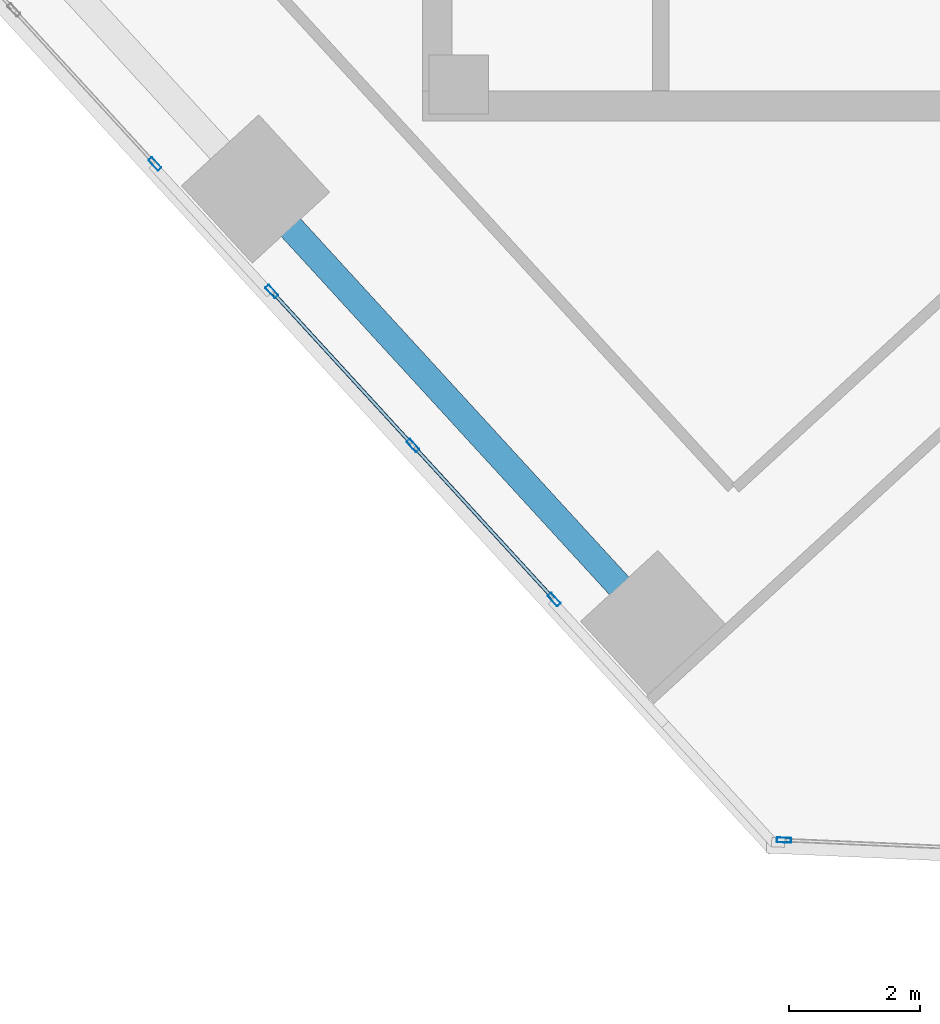
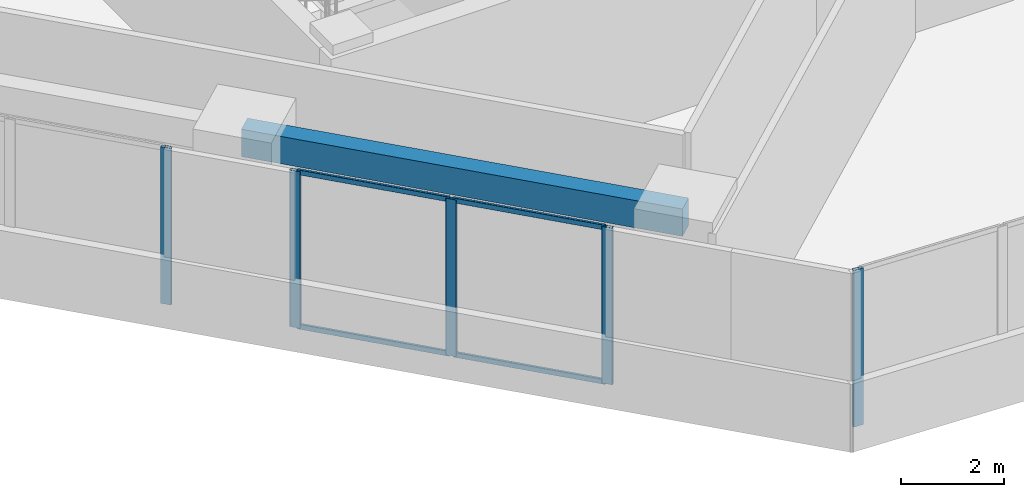
# One storey, part 2 of 16: 9 members, 1 beam, 3 elements without a shape of their own.
"""IFC4 building model written with IfcOpenShell, lengths in metres."""

from ifc_helpers import new_model, si_unit, direction, frame, origin, origin_2d, place, context, subcontext, project, spatial, rectangle, hollow_rectangle, extrude, source, transform, mapped, material, material_profile, profile_set, type_object, element, aggregate, save


model = new_model("IFC4")

# Units and contexts
model_context = context("Model", 3, precision=1e-05, world=origin(), true_north=direction((0.0, 1.0)))
body_context = subcontext(model_context, "Body", "Model", "MODEL_VIEW")
ifc_project = project(units=[si_unit("LENGTHUNIT", "METRE"), si_unit("AREAUNIT", "SQUARE_METRE"), si_unit("VOLUMEUNIT", "CUBIC_METRE"), si_unit("PLANEANGLEUNIT", "RADIAN"), si_unit("MASSUNIT", "GRAM", prefix="KILO")], contexts=[model_context])

# Site, building, storey
site_placement = place(None, origin())
site = spatial("IfcSite", under=ifc_project, at=site_placement, CompositionType="ELEMENT")
building_placement = place(site_placement, origin())
building = spatial("IfcBuilding", under=site, at=building_placement, Name="Torre Montelarca", CompositionType="ELEMENT")
storey_placement = place(building_placement, frame((0.0, 0.0, 262.60009765625)))
storey = spatial("IfcBuildingStorey", under=building, at=storey_placement, Name="L59", CompositionType="ELEMENT", Elevation=262.60009765625)

# Beam
ifc_material_1 = material(Name="Concrete C40/50", Category="concrete")
ifc_material_profile_1 = material_profile(ifc_material_1, rectangle(XDim=0.39990234375, YDim=0.64990234375, at=origin_2d()), Name="RCB400X650", Category="concrete")
ifc_profile_set_1 = profile_set([ifc_material_profile_1], Name="Concrete C40/50")
beam_type = type_object("IfcBeamType", Name="BM-SP-RC650-EXT", PredefinedType="SPANDREL", material=ifc_profile_set_1)
shared_shape_1 = source(origin(), body_context, "Body", "SweptSolid", [
    extrude(rectangle(XDim=0.39990234375, YDim=0.64990234375, at=origin_2d()), origin(), (0.0, 0.0, 1.0), 9.0),
])
beam_placement = place(storey_placement, frame((6.454345703125, 22.960205078125, 3.635009765625), z_axis=(0.675590724023, -0.73727686361, 0.0), x_axis=(0.73727686361, 0.675590724023, 0.0)))
element("IfcBeam", 1, at=beam_placement, inside=storey, type_object=beam_type, Name="L59 Grid Girder X 18.0-27.0 at Y=14.8", PredefinedType="SPANDREL", context=body_context, shape_type="MappedRepresentation", body=[
    mapped(shared_shape_1, transform((0.0, 0.0, 0.0), scale=1.0)),
])

# Curtain wall, member
ifc_material_2 = material(Name="Insulated low-E laminated glass", Category="glass")
curtain_wall_type = type_object("IfcCurtainWallType", Name="CW-SYS-Z3", PredefinedType="USERDEFINED", material=ifc_material_2)
curtain_wall_1_placement = place(storey_placement, origin())
curtain_wall_1 = element("IfcCurtainWall", 2, at=curtain_wall_1_placement, inside=storey, type_object=curtain_wall_type, Name="L59 Curtain Wall Run CW-T3-L59-E01-B1", ObjectType="UNITISED GLAZING", PredefinedType="USERDEFINED")
ifc_material_3 = material(Name="Anodised aluminium AA 6063-T6", Category="aluminium")
ifc_material_profile_2 = material_profile(ifc_material_3, hollow_rectangle(XDim=0.074951171875, YDim=0.219970703125, WallThickness=0.0048828125, InnerFilletRadius=0.0048828125, OuterFilletRadius=0.010009765625, at=origin_2d()), Name="ALU75X220X5", Category="aluminium")
ifc_profile_set_2 = profile_set([ifc_material_profile_2], Name="Anodised aluminium AA 6063-T6")
member_type_1 = type_object("IfcMemberType", Name="CWM-ALU220", PredefinedType="MULLION", material=ifc_profile_set_2)
shared_shape_2 = source(origin(), body_context, "Body", "SweptSolid", [
    extrude(hollow_rectangle(XDim=0.074951171875, YDim=0.219970703125, WallThickness=0.0048828125, InnerFilletRadius=0.0048828125, OuterFilletRadius=0.010009765625, at=origin_2d()), origin(), (0.0, 0.0, 1.0), 3.719970703125),
])
member_1_placement = place(storey_placement, frame((4.9228515625, 23.34375, 0.0), z_axis=(0.0, 0.0, 1.0), x_axis=(0.737279815472, 0.675587502621, 0.0)))
member_1 = element("IfcMember", 3, at=member_1_placement, type_object=member_type_1, Name="CW mullion 3", PredefinedType="MULLION", context=body_context, shape_type="MappedRepresentation", body=[
    mapped(shared_shape_2, transform((0.0, 0.0, 0.0), scale=1.0)),
])
aggregate(curtain_wall_1, [member_1])

# Curtain wall, members
curtain_wall_2_placement = place(storey_placement, origin())
curtain_wall_2 = element("IfcCurtainWall", 4, at=curtain_wall_2_placement, inside=storey, type_object=curtain_wall_type, Name="L59 Curtain Wall Run CW-T3-L59-E01-B2", ObjectType="UNITISED GLAZING", PredefinedType="USERDEFINED")
member_2_placement = place(storey_placement, frame((6.702880859375, 21.401123046875, 0.0), z_axis=(0.0, 0.0, 1.0), x_axis=(0.737279815472, 0.675587502621, 0.0)))
member_2 = element("IfcMember", 5, at=member_2_placement, type_object=member_type_1, Name="CW mullion 1", PredefinedType="MULLION", context=body_context, shape_type="MappedRepresentation", body=[
    mapped(shared_shape_2, transform((0.0, 0.0, 0.0), scale=1.0)),
])
member_3_placement = place(storey_placement, frame((8.85302734375, 19.0546875, 0.0), z_axis=(0.0, 0.0, 1.0), x_axis=(0.737279815472, 0.675587502621, 0.0)))
member_3 = element("IfcMember", 6, at=member_3_placement, type_object=member_type_1, Name="CW mullion 2", PredefinedType="MULLION", context=body_context, shape_type="MappedRepresentation", body=[
    mapped(shared_shape_2, transform((0.0, 0.0, 0.0), scale=1.0)),
])
member_4_placement = place(storey_placement, frame((11.003173828125, 16.708251953125, 0.0), z_axis=(0.0, 0.0, 1.0), x_axis=(0.737279815472, 0.675587502621, 0.0)))
member_4 = element("IfcMember", 7, at=member_4_placement, type_object=member_type_1, Name="CW mullion 3", PredefinedType="MULLION", context=body_context, shape_type="MappedRepresentation", body=[
    mapped(shared_shape_2, transform((0.0, 0.0, 0.0), scale=1.0)),
])

# Curtain wall, member
curtain_wall_3_placement = place(storey_placement, origin())
curtain_wall_3 = element("IfcCurtainWall", 8, at=curtain_wall_3_placement, inside=storey, type_object=curtain_wall_type, Name="L59 Curtain Wall Run CW-T3-L59-E02-B1", ObjectType="UNITISED GLAZING", PredefinedType="USERDEFINED")
member_5_placement = place(storey_placement, frame((14.505859375, 13.042236328125, 0.0), z_axis=(0.0, 0.0, 1.0), x_axis=(0.043610133473, 0.999048625573, 0.0)))
member_5 = element("IfcMember", 9, at=member_5_placement, type_object=member_type_1, Name="CW mullion 1", PredefinedType="MULLION", context=body_context, shape_type="MappedRepresentation", body=[
    mapped(shared_shape_2, transform((0.0, 0.0, 0.0), scale=1.0)),
])
aggregate(curtain_wall_3, [member_5])

# Member
ifc_material_profile_3 = material_profile(ifc_material_3, hollow_rectangle(XDim=0.054931640625, YDim=0.1201171875, WallThickness=0.00341796875, InnerFilletRadius=0.00341796875, OuterFilletRadius=0.007080078125, at=origin_2d()), Name="ALU55X120X3.5", Category="aluminium")
ifc_profile_set_3 = profile_set([ifc_material_profile_3], Name="Anodised aluminium AA 6063-T6")
member_type_2 = type_object("IfcMemberType", Name="CWT-ALU120", PredefinedType="USERDEFINED", material=ifc_profile_set_3)
shared_shape_3 = source(origin(), body_context, "Body", "SweptSolid", [
    extrude(hollow_rectangle(XDim=0.054931640625, YDim=0.1201171875, WallThickness=0.00341796875, InnerFilletRadius=0.00341796875, OuterFilletRadius=0.007080078125, at=origin_2d()), origin(), (0.0, 0.0, 1.0), 3.107421875),
])
member_6_placement = place(storey_placement, frame((6.728271484375, 21.37353515625, 0.02734375), z_axis=(0.675596539491, -0.737271534665, 0.0), x_axis=(0.737271534665, 0.675596539491, 0.0)))
member_6 = element("IfcMember", 10, at=member_6_placement, type_object=member_type_2, Name="CW transom 1.1", ObjectType="TRANSOM", PredefinedType="USERDEFINED", context=body_context, shape_type="MappedRepresentation", body=[
    mapped(shared_shape_3, transform((0.0, 0.0, 0.0), scale=1.0)),
])

member_7_placement = place(storey_placement, frame((6.728271484375, 21.37353515625, 3.6923828125), z_axis=(0.675596539491, -0.737271534665, 0.0), x_axis=(0.737271534665, 0.675596539491, 0.0)))
member_7 = element("IfcMember", 11, at=member_7_placement, type_object=member_type_2, Name="CW transom 1.2", ObjectType="TRANSOM", PredefinedType="USERDEFINED", context=body_context, shape_type="MappedRepresentation", body=[
    mapped(shared_shape_3, transform((0.0, 0.0, 0.0), scale=1.0)),
])

member_8_placement = place(storey_placement, frame((8.87841796875, 19.027099609375, 0.02734375), z_axis=(0.675596539491, -0.737271534665, 0.0), x_axis=(0.737271534665, 0.675596539491, 0.0)))
member_8 = element("IfcMember", 12, at=member_8_placement, type_object=member_type_2, Name="CW transom 2.1", ObjectType="TRANSOM", PredefinedType="USERDEFINED", context=body_context, shape_type="MappedRepresentation", body=[
    mapped(shared_shape_3, transform((0.0, 0.0, 0.0), scale=1.0)),
])

member_9_placement = place(storey_placement, frame((8.87841796875, 19.027099609375, 3.6923828125), z_axis=(0.675596539491, -0.737271534665, 0.0), x_axis=(0.737271534665, 0.675596539491, 0.0)))
member_9 = element("IfcMember", 13, at=member_9_placement, type_object=member_type_2, Name="CW transom 2.2", ObjectType="TRANSOM", PredefinedType="USERDEFINED", context=body_context, shape_type="MappedRepresentation", body=[
    mapped(shared_shape_3, transform((0.0, 0.0, 0.0), scale=1.0)),
])

aggregate(curtain_wall_2, [member_2, member_3, member_4, member_6, member_7, member_8, member_9])

save(model, "model.ifc")
